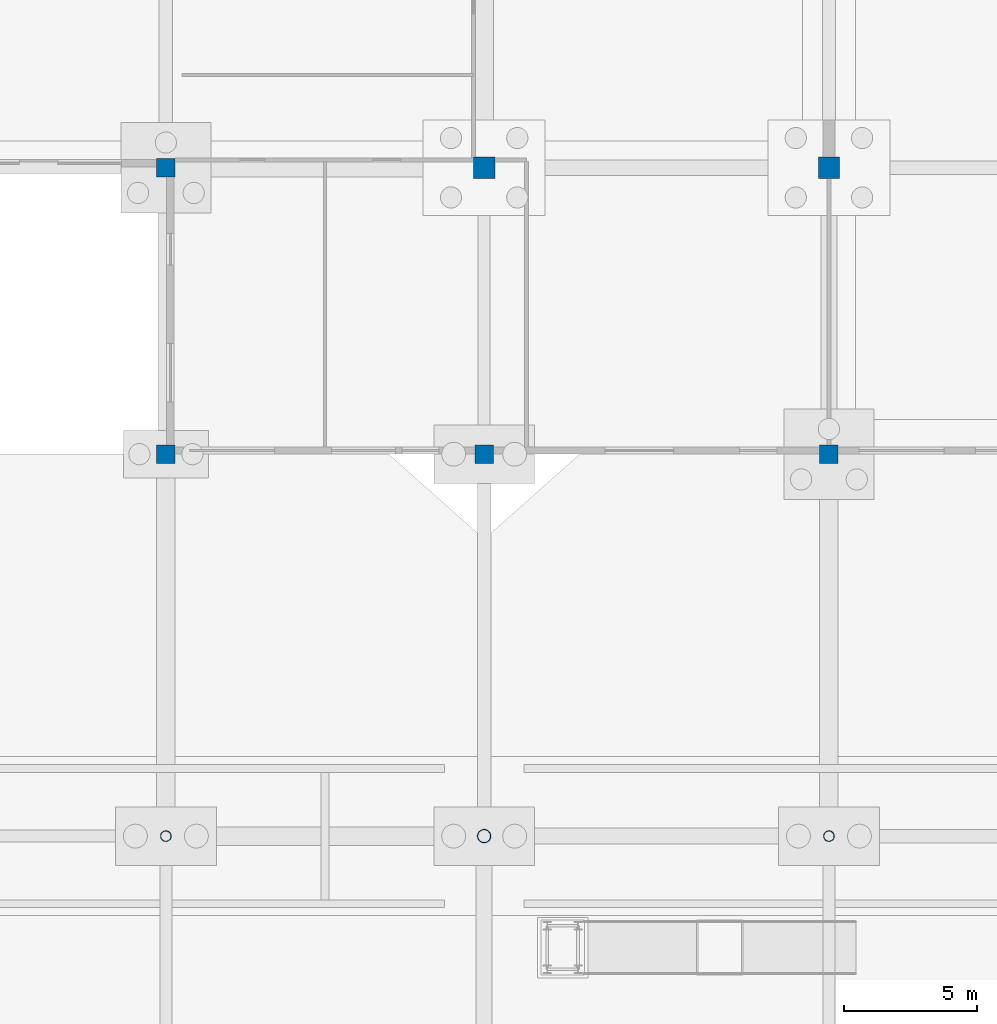
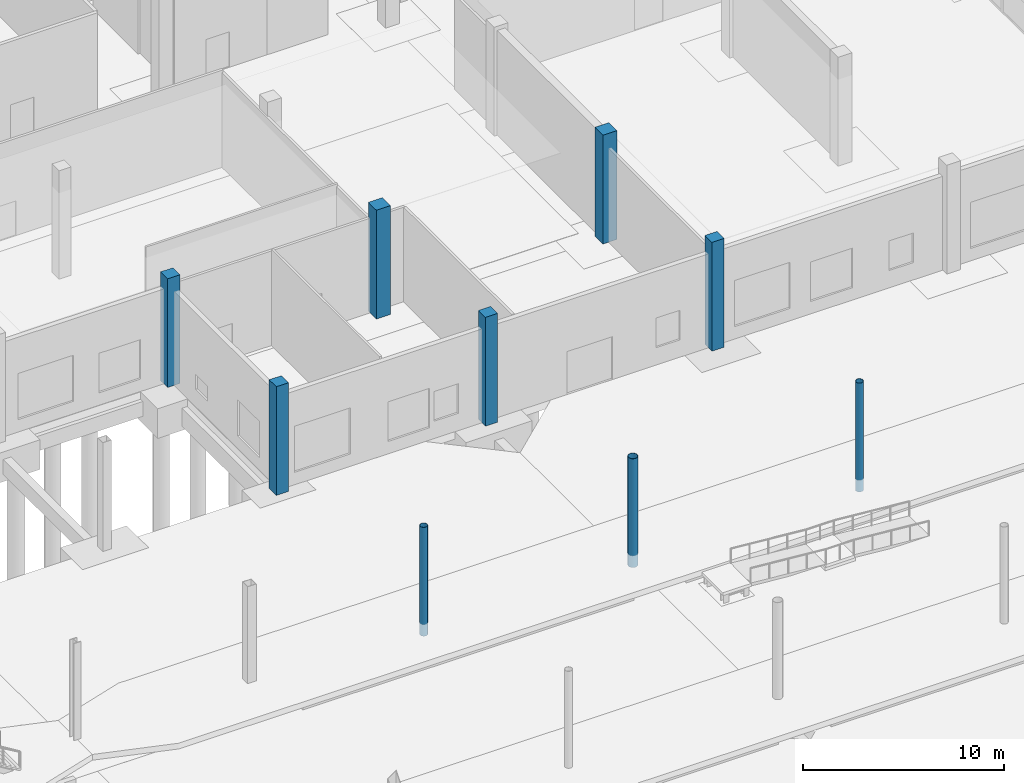
# One storey, part 29 of 115: 9 columns.
"""IFC4 building model written with IfcOpenShell, lengths in metres."""

from ifc_helpers import new_model, si_unit, direction, frame, origin, origin_2d, place, context, subcontext, project, spatial, rectangle, hollow_circle, extrude, material, material_profile, profile_set, type_object, element, save


model = new_model("IFC4")

# Units and contexts
model_context = context("Model", 3, precision=1e-05, world=origin(), true_north=direction((0.0, 1.0)))
body_context = subcontext(model_context, "Body", "Model", "MODEL_VIEW")
ifc_project = project(units=[si_unit("LENGTHUNIT", "METRE"), si_unit("AREAUNIT", "SQUARE_METRE"), si_unit("VOLUMEUNIT", "CUBIC_METRE"), si_unit("PLANEANGLEUNIT", "RADIAN"), si_unit("MASSUNIT", "GRAM", prefix="KILO")], contexts=[model_context])

# Site, building, storey
site_placement = place(None, origin())
site = spatial("IfcSite", under=ifc_project, at=site_placement, CompositionType="ELEMENT")
building_placement = place(site_placement, origin())
building = spatial("IfcBuilding", under=site, at=building_placement, Name="Tamarisk Ironworks Central Station", CompositionType="ELEMENT")
storey_placement = place(building_placement, origin())
storey = spatial("IfcBuildingStorey", under=building, at=storey_placement, Name="L00", CompositionType="ELEMENT", Elevation=0.0)

# Columns
ifc_material_1 = material(Name="Concrete C50/60", Category="concrete")
ifc_material_profile_1 = material_profile(ifc_material_1, rectangle(XDim=0.800048828125, YDim=0.800048828125, at=origin_2d()), Name="RC 800x800")
ifc_profile_set_1 = profile_set([ifc_material_profile_1], Name="Concrete C50/60")
column_type_1 = type_object("IfcColumnType", Name="COL-RC01", PredefinedType="COLUMN", material=ifc_profile_set_1)
for number, where, z_axis, x_axis, name in (
    (1, (140.0, 90.0, 0.0), (0.0, 0.0, 1.0), (1.0, 0.0, 0.0), "L00 column V5-17H"),
    (2, (153.0, 90.0, 0.0), (0.0, 0.0, 1.0), (1.0, 0.0, 0.0), "L00 column V5-18H"),
):
    element("IfcColumn", number, at=place(storey_placement, frame(where, z_axis=z_axis, x_axis=x_axis)), inside=storey, type_object=column_type_1, Name=name, PredefinedType="COLUMN", context=body_context, shape_type="SweptSolid", body=[
        extrude(rectangle(XDim=0.800048828125, YDim=0.800048828125, at=origin_2d()), origin(), (0.0, 0.0, 1.0), 6.60009765625),
    ])
ifc_material_profile_2 = material_profile(ifc_material_1, rectangle(XDim=0.699951171875, YDim=0.699951171875, at=origin_2d()), Name="RC 700x700")
ifc_profile_set_2 = profile_set([ifc_material_profile_2], Name="Concrete C50/60")
column_type_2 = type_object("IfcColumnType", Name="COL-RC02", PredefinedType="COLUMN", material=ifc_profile_set_2)
for number, where, z_axis, x_axis, name in (
    (3, (128.0, 79.199951171875, 0.0), (0.0, 0.0, 1.0), (1.0, 0.0, 0.0), "L00 column V5-16G"),
    (4, (128.0, 90.0, 0.0), (0.0, 0.0, 1.0), (1.0, 0.0, 0.0), "L00 column V5-16H"),
    (5, (140.0, 79.199951171875, 0.0), (0.0, 0.0, 1.0), (1.0, 0.0, 0.0), "L00 column V5-17G"),
    (6, (153.0, 79.199951171875, 0.0), (0.0, 0.0, 1.0), (1.0, 0.0, 0.0), "L00 column V5-18G"),
):
    element("IfcColumn", number, at=place(storey_placement, frame(where, z_axis=z_axis, x_axis=x_axis)), inside=storey, type_object=column_type_2, Name=name, PredefinedType="COLUMN", context=body_context, shape_type="SweptSolid", body=[
        extrude(rectangle(XDim=0.699951171875, YDim=0.699951171875, at=origin_2d()), origin(), (0.0, 0.0, 1.0), 6.60009765625),
    ])
ifc_material_2 = material(Name="Structural steel S355J2H", Category="steel")
ifc_material_profile_3 = material_profile(ifc_material_2, hollow_circle(Radius=0.25390625, WallThickness=0.01611328125, at=origin_2d()), Name="CHS 508x16")
ifc_profile_set_3 = profile_set([ifc_material_profile_3], Name="Structural steel S355J2H")
column_type_3 = type_object("IfcColumnType", Name="COL-S16", PredefinedType="COLUMN", material=ifc_profile_set_3)
column_placement = place(storey_placement, frame((140.0, 64.800048828125, 0.0), z_axis=(0.0, 0.0, 1.0), x_axis=(1.0, 0.0, 0.0)))
element("IfcColumn", 7, at=column_placement, inside=storey, type_object=column_type_3, Name="L00 column V1-17F", PredefinedType="COLUMN", context=body_context, shape_type="SweptSolid", body=[
    extrude(hollow_circle(Radius=0.25390625, WallThickness=0.01611328125, at=origin_2d()), origin(), (0.0, 0.0, 1.0), 6.60009765625),
])
ifc_material_profile_4 = material_profile(ifc_material_2, hollow_circle(Radius=0.203125, WallThickness=0.01416015625, at=origin_2d()), Name="CHS 406.4x14.2")
ifc_profile_set_4 = profile_set([ifc_material_profile_4], Name="Structural steel S355J2H")
column_type_4 = type_object("IfcColumnType", Name="COL-S17", PredefinedType="COLUMN", material=ifc_profile_set_4)
for number, where, z_axis, x_axis, name in (
    (8, (128.0, 64.800048828125, 0.0), (0.0, 0.0, 1.0), (1.0, 0.0, 0.0), "L00 column V1-16F"),
    (9, (153.0, 64.800048828125, 0.0), (0.0, 0.0, 1.0), (1.0, 0.0, 0.0), "L00 column V1-18F"),
):
    element("IfcColumn", number, at=place(storey_placement, frame(where, z_axis=z_axis, x_axis=x_axis)), inside=storey, type_object=column_type_4, Name=name, PredefinedType="COLUMN", context=body_context, shape_type="SweptSolid", body=[
        extrude(hollow_circle(Radius=0.203125, WallThickness=0.01416015625, at=origin_2d()), origin(), (0.0, 0.0, 1.0), 6.60009765625),
    ])

save(model, "model.ifc")
